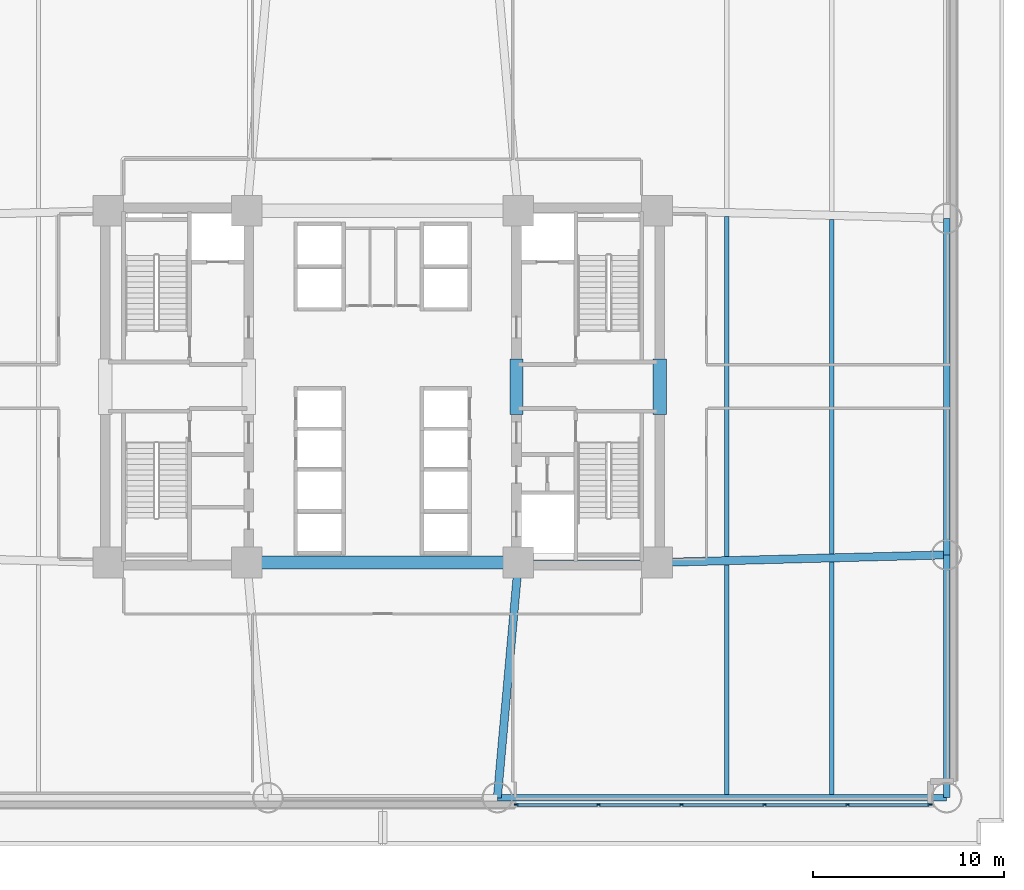
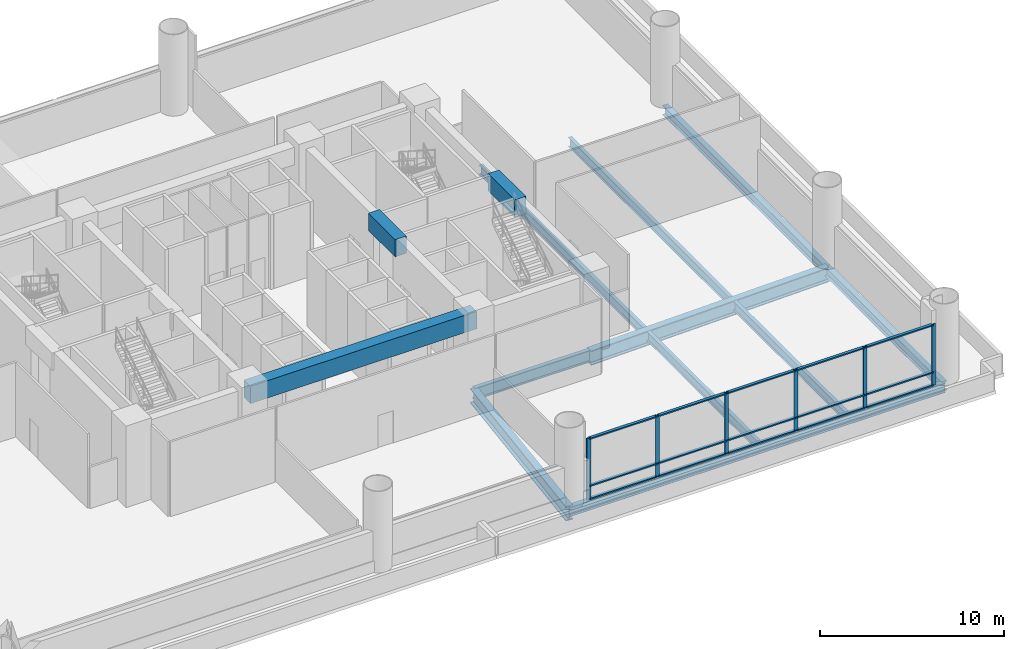
# One storey, part 2 of 12: 21 members, 13 beams, 1 element without a shape of its own.
"""IFC4 building model written with IfcOpenShell, lengths in metres."""

from ifc_helpers import new_model, si_unit, direction, frame, origin, origin_2d, place, context, subcontext, project, spatial, rectangle, i_section, extrude, source, transform, mapped, material, layer, layer_set, material_profile, profile_set, type_object, element, aggregate, save


model = new_model("IFC4")

# Units and contexts
model_context = context("Model", 3, precision=1e-05, world=origin(), true_north=direction((0.0, 1.0)))
body_context = subcontext(model_context, "Body", "Model", "MODEL_VIEW")
ifc_project = project(units=[si_unit("LENGTHUNIT", "METRE"), si_unit("AREAUNIT", "SQUARE_METRE"), si_unit("VOLUMEUNIT", "CUBIC_METRE"), si_unit("PLANEANGLEUNIT", "RADIAN"), si_unit("MASSUNIT", "GRAM", prefix="KILO")], contexts=[model_context])

# Site, building, storey
site_placement = place(None, origin())
site = spatial("IfcSite", under=ifc_project, at=site_placement, CompositionType="ELEMENT")
building_placement = place(site_placement, origin())
building = spatial("IfcBuilding", under=site, at=building_placement, Name="Zahravan Cultural Tower", CompositionType="ELEMENT")
storey_placement = place(building_placement, frame((0.0, 0.0, 18.0)))
storey = spatial("IfcBuildingStorey", under=building, at=storey_placement, Name="L03", CompositionType="ELEMENT", Elevation=18.0)

# Beams
ifc_material_1 = material(Name="Concrete C50/60", Category="concrete")
ifc_material_profile_1 = material_profile(ifc_material_1, rectangle(XDim=0.699951171875, YDim=1.14990234375, at=origin_2d()), Name="RC700X1150")
ifc_profile_set_1 = profile_set([ifc_material_profile_1], Name="Concrete C50/60")
beam_type_1 = type_object("IfcBeamType", Name="BM-LN-RC700X1150", PredefinedType="LINTEL", material=ifc_profile_set_1)
shared_shape_1 = source(origin(), body_context, "Body", "SweptSolid", [
    extrude(rectangle(XDim=0.699951171875, YDim=1.14990234375, at=origin_2d()), origin(), (0.0, 0.0, 1.0), 14.2001953125),
])
beam_1_placement = place(storey_placement, frame((28.89990234375, 17.800048828125, 4.375), z_axis=(1.0, 0.0, 0.0), x_axis=(0.0, 1.0, 0.0)))
element("IfcBeam", 1, at=beam_1_placement, inside=storey, type_object=beam_type_1, Name="L03 Beam LN-L03-S", PredefinedType="LINTEL", context=body_context, shape_type="MappedRepresentation", body=[
    mapped(shared_shape_1, transform((0.0, 0.0, 0.0), x_axis=(1.0, 0.0, 0.0), y_axis=(0.0, 1.0, 0.0), z_axis=(0.0, 0.0, 1.0), scale=1.0)),
])
shared_shape_2 = source(origin(), body_context, "Body", "SweptSolid", [
    extrude(rectangle(XDim=0.699951171875, YDim=1.14990234375, at=origin_2d()), origin(), (0.0, 0.0, 1.0), 2.89990234375),
])
for number, where, z_axis, x_axis, name in (
    (2, (43.0, 25.550048828125, 4.375), (0.0, 1.0, 0.0), (-1.0, 0.0, 0.0), "L03 Beam LN-L03-PEW"),
    (3, (50.5, 25.550048828125, 4.375), (0.0, 1.0, 0.0), (-1.0, 0.0, 0.0), "L03 Beam LN-L03-PEE"),
):
    element("IfcBeam", number, at=place(storey_placement, frame(where, z_axis=z_axis, x_axis=x_axis)), inside=storey, type_object=beam_type_1, Name=name, PredefinedType="LINTEL", context=body_context, shape_type="MappedRepresentation", body=[
        mapped(shared_shape_2, transform((0.0, 0.0, 0.0), x_axis=(1.0, 0.0, 0.0), y_axis=(0.0, 1.0, 0.0), z_axis=(0.0, 0.0, 1.0), scale=1.0)),
    ])
ifc_material_2 = material(Name="Steel ASTM A992 Grade 50", Category="steel")
ifc_material_profile_2 = material_profile(ifc_material_2, i_section(OverallWidth=0.26611328125, OverallDepth=0.780029296875, WebThickness=0.0166015625, FlangeThickness=0.030029296875, FilletRadius=0.01904296875, at=origin_2d()), Name="W30X148")
ifc_profile_set_2 = profile_set([ifc_material_profile_2], Name="Steel ASTM A992 Grade 50")
beam_type_2 = type_object("IfcBeamType", Name="BM-G-W30X148", PredefinedType="BEAM", material=ifc_profile_set_2)
shared_shape_3 = source(origin(), body_context, "Body", "SweptSolid", [
    extrude(i_section(OverallWidth=0.26611328125, OverallDepth=0.780029296875, WebThickness=0.0166015625, FlangeThickness=0.030029296875, FilletRadius=0.01904296875, at=origin_2d()), origin(), (0.0, 0.0, 1.0), 7.25),
])
beam_2_placement = place(storey_placement, frame((43.10009765625, 17.800048828125, -0.68994140625), z_axis=(1.0, 0.0, 0.0), x_axis=(0.0, 1.0, 0.0)))
element("IfcBeam", 4, at=beam_2_placement, inside=storey, type_object=beam_type_2, Name="L03 Beam BG-L03-04", PredefinedType="BEAM", context=body_context, shape_type="MappedRepresentation", body=[
    mapped(shared_shape_3, transform((0.0, 0.0, 0.0), x_axis=(1.0, 0.0, 0.0), y_axis=(0.0, 1.0, 0.0), z_axis=(0.0, 0.0, 1.0), scale=1.0)),
])
ifc_material_profile_3 = material_profile(ifc_material_2, i_section(OverallWidth=0.326904296875, OverallDepth=0.6220703125, WebThickness=0.015380859375, FlangeThickness=0.0244140625, FilletRadius=0.014892578125, at=origin_2d()), Name="W24X131")
ifc_profile_set_3 = profile_set([ifc_material_profile_3], Name="Steel ASTM A992 Grade 50")
beam_type_3 = type_object("IfcBeamType", Name="BM-SP-W24X131", PredefinedType="SPANDREL", material=ifc_profile_set_3)
shared_shape_4 = source(origin(), body_context, "Body", "SweptSolid", [
    extrude(i_section(OverallWidth=0.326904296875, OverallDepth=0.6220703125, WebThickness=0.015380859375, FlangeThickness=0.0244140625, FilletRadius=0.014892578125, at=origin_2d()), origin(), (0.0, 0.0, 1.0), 23.5),
])
beam_3_placement = place(storey_placement, frame((42.0, 5.5, -0.611083984375), z_axis=(1.0, 0.0, 0.0), x_axis=(0.0, 1.0, 0.0)))
element("IfcBeam", 5, at=beam_3_placement, inside=storey, type_object=beam_type_3, Name="L03 Beam BG-L03-09", PredefinedType="SPANDREL", context=body_context, shape_type="MappedRepresentation", body=[
    mapped(shared_shape_4, transform((0.0, 0.0, 0.0), x_axis=(1.0, 0.0, 0.0), y_axis=(0.0, 1.0, 0.0), z_axis=(0.0, 0.0, 1.0), scale=1.0)),
])
shared_shape_5 = source(origin(), body_context, "Body", "SweptSolid", [
    extrude(i_section(OverallWidth=0.326904296875, OverallDepth=0.6220703125, WebThickness=0.015380859375, FlangeThickness=0.0244140625, FilletRadius=0.014892578125, at=origin_2d()), origin(), (0.0, 0.0, 1.0), 12.699951171875),
])
beam_4_placement = place(storey_placement, frame((65.5, 5.5, -0.611083984375), z_axis=(0.0, 1.0, 0.0), x_axis=(-1.0, 0.0, 0.0)))
element("IfcBeam", 6, at=beam_4_placement, inside=storey, type_object=beam_type_3, Name="L03 Beam BG-L03-16", PredefinedType="SPANDREL", context=body_context, shape_type="MappedRepresentation", body=[
    mapped(shared_shape_5, transform((0.0, 0.0, 0.0), x_axis=(1.0, 0.0, 0.0), y_axis=(0.0, 1.0, 0.0), z_axis=(0.0, 0.0, 1.0), scale=1.0)),
])
shared_shape_6 = source(origin(), body_context, "Body", "SweptSolid", [
    extrude(i_section(OverallWidth=0.326904296875, OverallDepth=0.6220703125, WebThickness=0.015380859375, FlangeThickness=0.0244140625, FilletRadius=0.014892578125, at=origin_2d()), origin(), (0.0, 0.0, 1.0), 17.60009765625),
])
beam_5_placement = place(storey_placement, frame((65.5, 18.199951171875, -0.611083984375), z_axis=(0.0, 1.0, 0.0), x_axis=(-1.0, 0.0, 0.0)))
element("IfcBeam", 7, at=beam_5_placement, inside=storey, type_object=beam_type_3, Name="L03 Beam BG-L03-17", PredefinedType="SPANDREL", context=body_context, shape_type="MappedRepresentation", body=[
    mapped(shared_shape_6, transform((0.0, 0.0, 0.0), x_axis=(1.0, 0.0, 0.0), y_axis=(0.0, 1.0, 0.0), z_axis=(0.0, 0.0, 1.0), scale=1.0)),
])
ifc_material_profile_4 = material_profile(ifc_material_2, i_section(OverallWidth=0.425048828125, OverallDepth=0.965087890625, WebThickness=0.0283203125, FlangeThickness=0.051025390625, FilletRadius=0.02392578125, at=origin_2d()), Name="W36X361")
ifc_profile_set_4 = profile_set([ifc_material_profile_4], Name="Steel ASTM A992 Grade 50")
beam_type_4 = type_object("IfcBeamType", Name="BM-G-W36X361", PredefinedType="BEAM", material=ifc_profile_set_4)
shared_shape_7 = source(origin(), body_context, "Body", "SweptSolid", [
    extrude(i_section(OverallWidth=0.425048828125, OverallDepth=0.965087890625, WebThickness=0.0283203125, FlangeThickness=0.051025390625, FilletRadius=0.02392578125, at=origin_2d()), origin(), (0.0, 0.0, 1.0), 15.1552734375),
])
beam_6_placement = place(storey_placement, frame((65.5, 18.199951171875, -0.782470703125), z_axis=(-0.999651797923, -0.026387173188, 0.0), x_axis=(0.026387173188, -0.999651797923, 0.0)))
element("IfcBeam", 8, at=beam_6_placement, inside=storey, type_object=beam_type_4, Name="L03 Beam BG-L03-21", PredefinedType="BEAM", context=body_context, shape_type="MappedRepresentation", body=[
    mapped(shared_shape_7, transform((0.0, 0.0, 0.0), x_axis=(1.0, 0.0, 0.0), y_axis=(0.0, 1.0, 0.0), z_axis=(0.0, 0.0, 1.0), scale=1.0)),
])
shared_shape_8 = source(origin(), body_context, "Body", "SweptSolid", [
    extrude(i_section(OverallWidth=0.425048828125, OverallDepth=0.965087890625, WebThickness=0.0283203125, FlangeThickness=0.051025390625, FilletRadius=0.02392578125, at=origin_2d()), origin(), (0.0, 0.0, 1.0), 12.34912109375),
])
beam_7_placement = place(storey_placement, frame((42.0, 5.5, -0.782470703125), z_axis=(0.089082890706, 0.996024215862, 0.0), x_axis=(-0.996024215862, 0.089082890706, 0.0)))
element("IfcBeam", 9, at=beam_7_placement, inside=storey, type_object=beam_type_4, Name="L03 Beam BG-L03-24", PredefinedType="BEAM", context=body_context, shape_type="MappedRepresentation", body=[
    mapped(shared_shape_8, transform((0.0, 0.0, 0.0), x_axis=(1.0, 0.0, 0.0), y_axis=(0.0, 1.0, 0.0), z_axis=(0.0, 0.0, 1.0), scale=1.0)),
])
ifc_material_profile_5 = material_profile(ifc_material_2, i_section(OverallWidth=0.22998046875, OverallDepth=0.616943359375, WebThickness=0.01318359375, FlangeThickness=0.022216796875, FilletRadius=0.014892578125, at=origin_2d()), Name="W24X94")
ifc_profile_set_5 = profile_set([ifc_material_profile_5], Name="Steel ASTM A992 Grade 50")
beam_type_5 = type_object("IfcBeamType", Name="BM-J-W24X94", PredefinedType="JOIST", material=ifc_profile_set_5)
shared_shape_9 = source(origin(), body_context, "Body", "SweptSolid", [
    extrude(i_section(OverallWidth=0.22998046875, OverallDepth=0.616943359375, WebThickness=0.01318359375, FlangeThickness=0.022216796875, FilletRadius=0.014892578125, at=origin_2d()), origin(), (0.0, 0.0, 1.0), 12.16357421875),
])
beam_8_placement = place(storey_placement, frame((59.5, 5.6650390625, -0.6083984375), z_axis=(0.0, 1.0, 0.0), x_axis=(-1.0, 0.0, 0.0)))
element("IfcBeam", 10, at=beam_8_placement, inside=storey, type_object=beam_type_5, Name="L03 Beam BJ-L03-36", PredefinedType="JOIST", context=body_context, shape_type="MappedRepresentation", body=[
    mapped(shared_shape_9, transform((0.0, 0.0, 0.0), x_axis=(1.0, 0.0, 0.0), y_axis=(0.0, 1.0, 0.0), z_axis=(0.0, 0.0, 1.0), scale=1.0)),
])
shared_shape_10 = source(origin(), body_context, "Body", "SweptSolid", [
    extrude(i_section(OverallWidth=0.22998046875, OverallDepth=0.616943359375, WebThickness=0.01318359375, FlangeThickness=0.022216796875, FilletRadius=0.014892578125, at=origin_2d()), origin(), (0.0, 0.0, 1.0), 17.49072265625),
])
beam_9_placement = place(storey_placement, frame((59.5, 18.254638671875, -0.6083984375), z_axis=(0.0, 1.0, 0.0), x_axis=(-1.0, 0.0, 0.0)))
element("IfcBeam", 11, at=beam_9_placement, inside=storey, type_object=beam_type_5, Name="L03 Beam BJ-L03-37", PredefinedType="JOIST", context=body_context, shape_type="MappedRepresentation", body=[
    mapped(shared_shape_10, transform((0.0, 0.0, 0.0), x_axis=(1.0, 0.0, 0.0), y_axis=(0.0, 1.0, 0.0), z_axis=(0.0, 0.0, 1.0), scale=1.0)),
])
shared_shape_11 = source(origin(), body_context, "Body", "SweptSolid", [
    extrude(i_section(OverallWidth=0.22998046875, OverallDepth=0.616943359375, WebThickness=0.01318359375, FlangeThickness=0.022216796875, FilletRadius=0.014892578125, at=origin_2d()), origin(), (0.0, 0.0, 1.0), 12.018310546875),
])
beam_10_placement = place(storey_placement, frame((54.0, 5.6650390625, -0.6083984375), z_axis=(0.0, 1.0, 0.0), x_axis=(-1.0, 0.0, 0.0)))
element("IfcBeam", 12, at=beam_10_placement, inside=storey, type_object=beam_type_5, Name="L03 Beam BJ-L03-33", PredefinedType="JOIST", context=body_context, shape_type="MappedRepresentation", body=[
    mapped(shared_shape_11, transform((0.0, 0.0, 0.0), x_axis=(1.0, 0.0, 0.0), y_axis=(0.0, 1.0, 0.0), z_axis=(0.0, 0.0, 1.0), scale=1.0)),
])
shared_shape_12 = source(origin(), body_context, "Body", "SweptSolid", [
    extrude(i_section(OverallWidth=0.22998046875, OverallDepth=0.616943359375, WebThickness=0.01318359375, FlangeThickness=0.022216796875, FilletRadius=0.014892578125, at=origin_2d()), origin(), (0.0, 0.0, 1.0), 17.78125),
])
beam_11_placement = place(storey_placement, frame((54.0, 18.109375, -0.6083984375), z_axis=(0.0, 1.0, 0.0), x_axis=(-1.0, 0.0, 0.0)))
element("IfcBeam", 13, at=beam_11_placement, inside=storey, type_object=beam_type_5, Name="L03 Beam BJ-L03-34", PredefinedType="JOIST", context=body_context, shape_type="MappedRepresentation", body=[
    mapped(shared_shape_12, transform((0.0, 0.0, 0.0), x_axis=(1.0, 0.0, 0.0), y_axis=(0.0, 1.0, 0.0), z_axis=(0.0, 0.0, 1.0), scale=1.0)),
])

# Curtain wall, members
ifc_material_3 = material(Name="Anodised bronze-aluminium mullion", Category="aluminium")
ifc_layer = layer(ifc_material_3, 0.239990234375)
ifc_layer_set = layer_set([ifc_layer], Name="Anodised bronze-aluminium mullion")
curtain_wall_type = type_object("IfcCurtainWallType", Name="CW-SYS-5", PredefinedType="USERDEFINED", material=ifc_layer_set)
curtain_wall_placement = place(storey_placement, origin())
curtain_wall = element("IfcCurtainWall", 14, at=curtain_wall_placement, inside=storey, type_object=curtain_wall_type, Name="L03 Recessed Curtain Wall CW-5.1", ObjectType="RECESSED GLAZING", PredefinedType="USERDEFINED")
ifc_material_profile_6 = material_profile(ifc_material_3, rectangle(XDim=0.0849609375, YDim=0.239990234375, at=origin_2d()), Name="AL-M85X240")
ifc_profile_set_6 = profile_set([ifc_material_profile_6], Name="Anodised bronze-aluminium mullion")
member_type_1 = type_object("IfcMemberType", Name="CWM-CW-5", PredefinedType="MULLION", material=ifc_profile_set_6)
shared_shape_13 = source(origin(), body_context, "Body", "SweptSolid", [
    extrude(rectangle(XDim=0.0849609375, YDim=0.239990234375, at=origin_2d()), origin(), (0.0, 0.0, 1.0), 4.070068359375),
])
member_1_placement = place(storey_placement, frame((64.617431640625, 5.139892578125, 0.0), z_axis=(0.0, 0.0, 1.0), x_axis=(0.0, -1.0, 0.0)))
member_1 = element("IfcMember", 15, at=member_1_placement, type_object=member_type_1, Name="CW-5 mullion 1", PredefinedType="MULLION", context=body_context, shape_type="MappedRepresentation", body=[
    mapped(shared_shape_13, transform((0.0, 0.0, 0.0), x_axis=(1.0, 0.0, 0.0), y_axis=(0.0, 1.0, 0.0), z_axis=(0.0, 0.0, 1.0), scale=1.0)),
])
member_2_placement = place(storey_placement, frame((60.318115234375, 5.139892578125, 0.0), z_axis=(0.0, 0.0, 1.0), x_axis=(0.0, -1.0, 0.0)))
member_2 = element("IfcMember", 16, at=member_2_placement, type_object=member_type_1, Name="CW-5 mullion 2", PredefinedType="MULLION", context=body_context, shape_type="MappedRepresentation", body=[
    mapped(shared_shape_13, transform((0.0, 0.0, 0.0), x_axis=(1.0, 0.0, 0.0), y_axis=(0.0, 1.0, 0.0), z_axis=(0.0, 0.0, 1.0), scale=1.0)),
])
member_3_placement = place(storey_placement, frame((55.97607421875, 5.139892578125, 0.0), z_axis=(0.0, 0.0, 1.0), x_axis=(0.0, -1.0, 0.0)))
member_3 = element("IfcMember", 17, at=member_3_placement, type_object=member_type_1, Name="CW-5 mullion 3", PredefinedType="MULLION", context=body_context, shape_type="MappedRepresentation", body=[
    mapped(shared_shape_13, transform((0.0, 0.0, 0.0), x_axis=(1.0, 0.0, 0.0), y_axis=(0.0, 1.0, 0.0), z_axis=(0.0, 0.0, 1.0), scale=1.0)),
])
member_4_placement = place(storey_placement, frame((51.634033203125, 5.139892578125, 0.0), z_axis=(0.0, 0.0, 1.0), x_axis=(0.0, -1.0, 0.0)))
member_4 = element("IfcMember", 18, at=member_4_placement, type_object=member_type_1, Name="CW-5 mullion 4", PredefinedType="MULLION", context=body_context, shape_type="MappedRepresentation", body=[
    mapped(shared_shape_13, transform((0.0, 0.0, 0.0), x_axis=(1.0, 0.0, 0.0), y_axis=(0.0, 1.0, 0.0), z_axis=(0.0, 0.0, 1.0), scale=1.0)),
])
member_5_placement = place(storey_placement, frame((47.2919921875, 5.139892578125, 0.0), z_axis=(0.0, 0.0, 1.0), x_axis=(0.0, -1.0, 0.0)))
member_5 = element("IfcMember", 19, at=member_5_placement, type_object=member_type_1, Name="CW-5 mullion 5", PredefinedType="MULLION", context=body_context, shape_type="MappedRepresentation", body=[
    mapped(shared_shape_13, transform((0.0, 0.0, 0.0), x_axis=(1.0, 0.0, 0.0), y_axis=(0.0, 1.0, 0.0), z_axis=(0.0, 0.0, 1.0), scale=1.0)),
])
member_6_placement = place(storey_placement, frame((42.992431640625, 5.139892578125, 0.0), z_axis=(0.0, 0.0, 1.0), x_axis=(0.0, -1.0, 0.0)))
member_6 = element("IfcMember", 20, at=member_6_placement, type_object=member_type_1, Name="CW-5 mullion 6", PredefinedType="MULLION", context=body_context, shape_type="MappedRepresentation", body=[
    mapped(shared_shape_13, transform((0.0, 0.0, 0.0), x_axis=(1.0, 0.0, 0.0), y_axis=(0.0, 1.0, 0.0), z_axis=(0.0, 0.0, 1.0), scale=1.0)),
])
ifc_material_profile_7 = material_profile(ifc_material_3, rectangle(XDim=0.179931640625, YDim=0.0849609375, at=origin_2d()), Name="AL-T85X180")
ifc_profile_set_7 = profile_set([ifc_material_profile_7], Name="Anodised bronze-aluminium mullion")
member_type_2 = type_object("IfcMemberType", Name="CWT-CW-5", PredefinedType="USERDEFINED", material=ifc_profile_set_7)
shared_shape_14 = source(origin(), body_context, "Body", "SweptSolid", [
    extrude(rectangle(XDim=0.179931640625, YDim=0.0849609375, at=origin_2d()), origin(), (0.0, 0.0, 1.0), 4.21435546875),
])
member_7_placement = place(storey_placement, frame((64.574951171875, 5.139892578125, 0.04248046875), z_axis=(-1.0, 0.0, 0.0), x_axis=(0.0, -1.0, 0.0)))
member_7 = element("IfcMember", 21, at=member_7_placement, type_object=member_type_2, Name="CW-5 transom 1.1", ObjectType="TRANSOM", PredefinedType="USERDEFINED", context=body_context, shape_type="MappedRepresentation", body=[
    mapped(shared_shape_14, transform((0.0, 0.0, 0.0), x_axis=(1.0, 0.0, 0.0), y_axis=(0.0, 1.0, 0.0), z_axis=(0.0, 0.0, 1.0), scale=1.0)),
])
member_8_placement = place(storey_placement, frame((64.574951171875, 5.139892578125, 0.89990234375), z_axis=(-1.0, 0.0, 0.0), x_axis=(0.0, -1.0, 0.0)))
member_8 = element("IfcMember", 22, at=member_8_placement, type_object=member_type_2, Name="CW-5 transom 1.2", ObjectType="TRANSOM", PredefinedType="USERDEFINED", context=body_context, shape_type="MappedRepresentation", body=[
    mapped(shared_shape_14, transform((0.0, 0.0, 0.0), x_axis=(1.0, 0.0, 0.0), y_axis=(0.0, 1.0, 0.0), z_axis=(0.0, 0.0, 1.0), scale=1.0)),
])
member_9_placement = place(storey_placement, frame((64.574951171875, 5.139892578125, 4.027587890625), z_axis=(-1.0, 0.0, 0.0), x_axis=(0.0, -1.0, 0.0)))
member_9 = element("IfcMember", 23, at=member_9_placement, type_object=member_type_2, Name="CW-5 transom 1.3", ObjectType="TRANSOM", PredefinedType="USERDEFINED", context=body_context, shape_type="MappedRepresentation", body=[
    mapped(shared_shape_14, transform((0.0, 0.0, 0.0), x_axis=(1.0, 0.0, 0.0), y_axis=(0.0, 1.0, 0.0), z_axis=(0.0, 0.0, 1.0), scale=1.0)),
])
shared_shape_15 = source(origin(), body_context, "Body", "SweptSolid", [
    extrude(rectangle(XDim=0.179931640625, YDim=0.0849609375, at=origin_2d()), origin(), (0.0, 0.0, 1.0), 4.2568359375),
])
member_10_placement = place(storey_placement, frame((60.275390625, 5.139892578125, 0.04248046875), z_axis=(-1.0, 0.0, 0.0), x_axis=(0.0, -1.0, 0.0)))
member_10 = element("IfcMember", 24, at=member_10_placement, type_object=member_type_2, Name="CW-5 transom 2.1", ObjectType="TRANSOM", PredefinedType="USERDEFINED", context=body_context, shape_type="MappedRepresentation", body=[
    mapped(shared_shape_15, transform((0.0, 0.0, 0.0), x_axis=(1.0, 0.0, 0.0), y_axis=(0.0, 1.0, 0.0), z_axis=(0.0, 0.0, 1.0), scale=1.0)),
])
member_11_placement = place(storey_placement, frame((60.275390625, 5.139892578125, 0.89990234375), z_axis=(-1.0, 0.0, 0.0), x_axis=(0.0, -1.0, 0.0)))
member_11 = element("IfcMember", 25, at=member_11_placement, type_object=member_type_2, Name="CW-5 transom 2.2", ObjectType="TRANSOM", PredefinedType="USERDEFINED", context=body_context, shape_type="MappedRepresentation", body=[
    mapped(shared_shape_15, transform((0.0, 0.0, 0.0), x_axis=(1.0, 0.0, 0.0), y_axis=(0.0, 1.0, 0.0), z_axis=(0.0, 0.0, 1.0), scale=1.0)),
])
member_12_placement = place(storey_placement, frame((60.275390625, 5.139892578125, 4.027587890625), z_axis=(-1.0, 0.0, 0.0), x_axis=(0.0, -1.0, 0.0)))
member_12 = element("IfcMember", 26, at=member_12_placement, type_object=member_type_2, Name="CW-5 transom 2.3", ObjectType="TRANSOM", PredefinedType="USERDEFINED", context=body_context, shape_type="MappedRepresentation", body=[
    mapped(shared_shape_15, transform((0.0, 0.0, 0.0), x_axis=(1.0, 0.0, 0.0), y_axis=(0.0, 1.0, 0.0), z_axis=(0.0, 0.0, 1.0), scale=1.0)),
])
shared_shape_16 = source(origin(), body_context, "Body", "SweptSolid", [
    extrude(rectangle(XDim=0.179931640625, YDim=0.0849609375, at=origin_2d()), origin(), (0.0, 0.0, 1.0), 4.257080078125),
])
member_13_placement = place(storey_placement, frame((55.93359375, 5.139892578125, 0.04248046875), z_axis=(-1.0, 0.0, 0.0), x_axis=(0.0, -1.0, 0.0)))
member_13 = element("IfcMember", 27, at=member_13_placement, type_object=member_type_2, Name="CW-5 transom 3.1", ObjectType="TRANSOM", PredefinedType="USERDEFINED", context=body_context, shape_type="MappedRepresentation", body=[
    mapped(shared_shape_16, transform((0.0, 0.0, 0.0), x_axis=(1.0, 0.0, 0.0), y_axis=(0.0, 1.0, 0.0), z_axis=(0.0, 0.0, 1.0), scale=1.0)),
])
member_14_placement = place(storey_placement, frame((55.93359375, 5.139892578125, 0.89990234375), z_axis=(-1.0, 0.0, 0.0), x_axis=(0.0, -1.0, 0.0)))
member_14 = element("IfcMember", 28, at=member_14_placement, type_object=member_type_2, Name="CW-5 transom 3.2", ObjectType="TRANSOM", PredefinedType="USERDEFINED", context=body_context, shape_type="MappedRepresentation", body=[
    mapped(shared_shape_16, transform((0.0, 0.0, 0.0), x_axis=(1.0, 0.0, 0.0), y_axis=(0.0, 1.0, 0.0), z_axis=(0.0, 0.0, 1.0), scale=1.0)),
])
member_15_placement = place(storey_placement, frame((55.93359375, 5.139892578125, 4.027587890625), z_axis=(-1.0, 0.0, 0.0), x_axis=(0.0, -1.0, 0.0)))
member_15 = element("IfcMember", 29, at=member_15_placement, type_object=member_type_2, Name="CW-5 transom 3.3", ObjectType="TRANSOM", PredefinedType="USERDEFINED", context=body_context, shape_type="MappedRepresentation", body=[
    mapped(shared_shape_16, transform((0.0, 0.0, 0.0), x_axis=(1.0, 0.0, 0.0), y_axis=(0.0, 1.0, 0.0), z_axis=(0.0, 0.0, 1.0), scale=1.0)),
])
member_16_placement = place(storey_placement, frame((51.591552734375, 5.139892578125, 0.04248046875), z_axis=(-1.0, 0.0, 0.0), x_axis=(0.0, -1.0, 0.0)))
member_16 = element("IfcMember", 30, at=member_16_placement, type_object=member_type_2, Name="CW-5 transom 4.1", ObjectType="TRANSOM", PredefinedType="USERDEFINED", context=body_context, shape_type="MappedRepresentation", body=[
    mapped(shared_shape_16, transform((0.0, 0.0, 0.0), x_axis=(1.0, 0.0, 0.0), y_axis=(0.0, 1.0, 0.0), z_axis=(0.0, 0.0, 1.0), scale=1.0)),
])
member_17_placement = place(storey_placement, frame((51.591552734375, 5.139892578125, 0.89990234375), z_axis=(-1.0, 0.0, 0.0), x_axis=(0.0, -1.0, 0.0)))
member_17 = element("IfcMember", 31, at=member_17_placement, type_object=member_type_2, Name="CW-5 transom 4.2", ObjectType="TRANSOM", PredefinedType="USERDEFINED", context=body_context, shape_type="MappedRepresentation", body=[
    mapped(shared_shape_16, transform((0.0, 0.0, 0.0), x_axis=(1.0, 0.0, 0.0), y_axis=(0.0, 1.0, 0.0), z_axis=(0.0, 0.0, 1.0), scale=1.0)),
])
member_18_placement = place(storey_placement, frame((51.591552734375, 5.139892578125, 4.027587890625), z_axis=(-1.0, 0.0, 0.0), x_axis=(0.0, -1.0, 0.0)))
member_18 = element("IfcMember", 32, at=member_18_placement, type_object=member_type_2, Name="CW-5 transom 4.3", ObjectType="TRANSOM", PredefinedType="USERDEFINED", context=body_context, shape_type="MappedRepresentation", body=[
    mapped(shared_shape_16, transform((0.0, 0.0, 0.0), x_axis=(1.0, 0.0, 0.0), y_axis=(0.0, 1.0, 0.0), z_axis=(0.0, 0.0, 1.0), scale=1.0)),
])
shared_shape_17 = source(origin(), body_context, "Body", "SweptSolid", [
    extrude(rectangle(XDim=0.179931640625, YDim=0.0849609375, at=origin_2d()), origin(), (0.0, 0.0, 1.0), 4.214599609375),
])
member_19_placement = place(storey_placement, frame((47.24951171875, 5.139892578125, 0.04248046875), z_axis=(-1.0, 0.0, 0.0), x_axis=(0.0, -1.0, 0.0)))
member_19 = element("IfcMember", 33, at=member_19_placement, type_object=member_type_2, Name="CW-5 transom 5.1", ObjectType="TRANSOM", PredefinedType="USERDEFINED", context=body_context, shape_type="MappedRepresentation", body=[
    mapped(shared_shape_17, transform((0.0, 0.0, 0.0), x_axis=(1.0, 0.0, 0.0), y_axis=(0.0, 1.0, 0.0), z_axis=(0.0, 0.0, 1.0), scale=1.0)),
])
member_20_placement = place(storey_placement, frame((47.24951171875, 5.139892578125, 0.89990234375), z_axis=(-1.0, 0.0, 0.0), x_axis=(0.0, -1.0, 0.0)))
member_20 = element("IfcMember", 34, at=member_20_placement, type_object=member_type_2, Name="CW-5 transom 5.2", ObjectType="TRANSOM", PredefinedType="USERDEFINED", context=body_context, shape_type="MappedRepresentation", body=[
    mapped(shared_shape_17, transform((0.0, 0.0, 0.0), x_axis=(1.0, 0.0, 0.0), y_axis=(0.0, 1.0, 0.0), z_axis=(0.0, 0.0, 1.0), scale=1.0)),
])
member_21_placement = place(storey_placement, frame((47.24951171875, 5.139892578125, 4.027587890625), z_axis=(-1.0, 0.0, 0.0), x_axis=(0.0, -1.0, 0.0)))
member_21 = element("IfcMember", 35, at=member_21_placement, type_object=member_type_2, Name="CW-5 transom 5.3", ObjectType="TRANSOM", PredefinedType="USERDEFINED", context=body_context, shape_type="MappedRepresentation", body=[
    mapped(shared_shape_17, transform((0.0, 0.0, 0.0), x_axis=(1.0, 0.0, 0.0), y_axis=(0.0, 1.0, 0.0), z_axis=(0.0, 0.0, 1.0), scale=1.0)),
])
aggregate(curtain_wall, [member_1, member_2, member_3, member_4, member_5, member_6, member_7, member_8, member_9, member_10, member_11, member_12, member_13, member_14, member_15, member_16, member_17, member_18, member_19, member_20, member_21])

save(model, "model.ifc")
